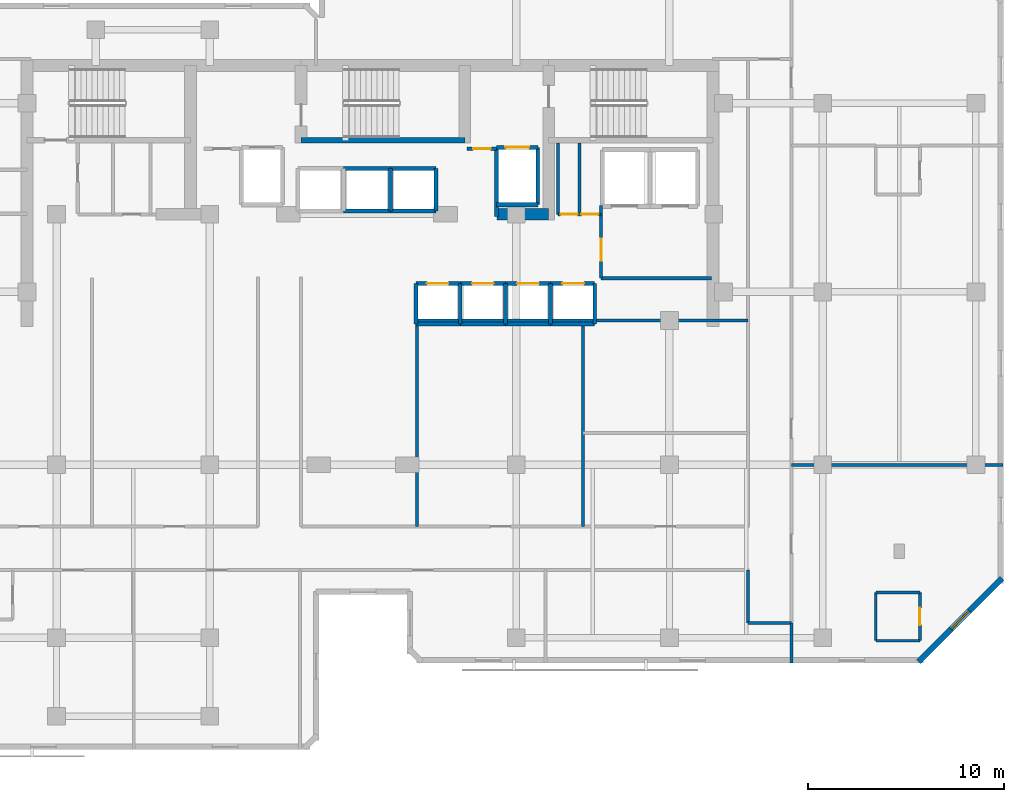
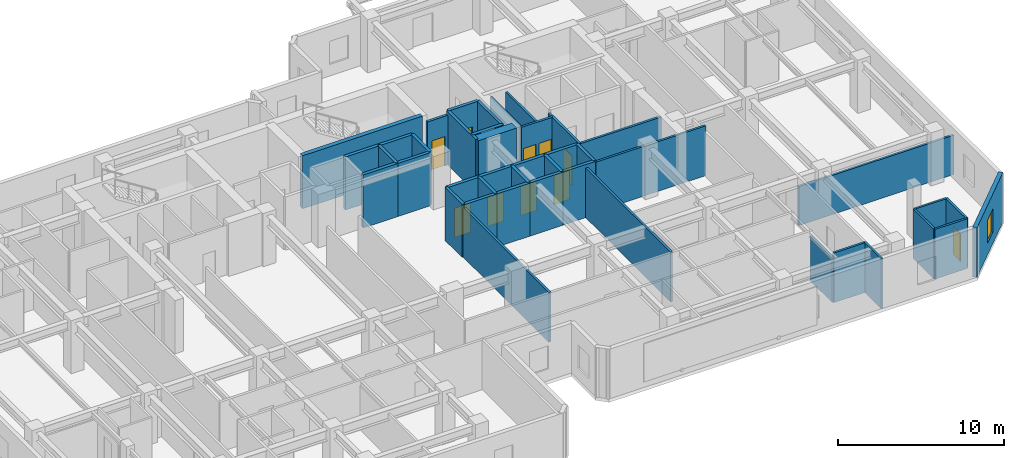
# One storey, part 6 of 10: 43 walls, 10 doors, 1 window, 11 openings.
"""IFC4 building model written with IfcOpenShell, lengths in metres."""

from ifc_helpers import new_model, si_unit, direction, frame, frame_2d, origin, place, context, subcontext, project, spatial, rectangle, extrude, material, layer, layer_set, type_object, element, fill, save


model = new_model("IFC4")

# Units and contexts
model_context = context("Model", 3, precision=1e-05, world=origin(), true_north=direction((0.0, 1.0)))
body_context = subcontext(model_context, "Body", "Model", "MODEL_VIEW")
ifc_project = project(units=[si_unit("LENGTHUNIT", "METRE"), si_unit("AREAUNIT", "SQUARE_METRE"), si_unit("VOLUMEUNIT", "CUBIC_METRE"), si_unit("PLANEANGLEUNIT", "RADIAN"), si_unit("MASSUNIT", "GRAM", prefix="KILO")], contexts=[model_context])

# Site, building, storey
site_placement = place(None, origin())
site = spatial("IfcSite", under=ifc_project, at=site_placement, CompositionType="ELEMENT")
building_placement = place(site_placement, origin())
building = spatial("IfcBuilding", under=site, at=building_placement, Name="Kestravale Grand Hotel", CompositionType="ELEMENT")
storey_placement = place(building_placement, frame((0.0, 0.0, 220.199951171875)))
storey = spatial("IfcBuildingStorey", under=building, at=storey_placement, Name="L55", CompositionType="ELEMENT", Elevation=220.199951171875)

# Wall
ifc_material_1 = material(Name="Concrete f'c 50 MPa", Category="concrete")
ifc_layer_1 = layer(ifc_material_1, 0.60009765625)
ifc_layer_set_1 = layer_set([ifc_layer_1], Name="EW-CORE-600")
wall_type_1 = type_object("IfcWallType", Name="EW-CORE-600", PredefinedType="SHEAR", material=ifc_layer_set_1)
wall_1_placement = place(storey_placement, frame((45.81005859375, 32.75, 0.0), z_axis=(0.0, 0.0, 1.0), x_axis=(1.0, 0.0, 0.0)))
element("IfcWall", 1, at=wall_1_placement, inside=storey, type_object=wall_type_1, Name="L55 core shear wall S2", PredefinedType="SHEAR", context=body_context, shape_type="SweptSolid", body=[
    extrude(rectangle(XDim=2.639892578125, YDim=0.60009765625, at=frame_2d((1.31982421875, 0.0))), origin(), (0.0, 0.0, 1.0), 3.900146484375),
])

# Wall, opening, window
ifc_material_2 = material(Name="Precast concrete f'c 45 MPa", Category="concrete")
ifc_layer_2 = layer(ifc_material_2, 0.280029296875)
ifc_layer_set_2 = layer_set([ifc_layer_2], Name="EW-PREC-280")
wall_type_2 = type_object("IfcWallType", Name="EW-PREC-280", PredefinedType="SOLIDWALL", material=ifc_layer_set_2)
wall_2_placement = place(storey_placement, frame((67.272705078125, 9.970703125, 0.0), z_axis=(0.0, 0.0, 1.0), x_axis=(0.707106781187, 0.707106781187, 0.0)))
wall_2 = element("IfcWall", 2, at=wall_2_placement, inside=storey, type_object=wall_type_2, Name="L55 fluted precast facade wall 8", PredefinedType="SOLIDWALL", context=body_context, shape_type="SweptSolid", body=[
    extrude(rectangle(XDim=6.019775390625, YDim=0.280029296875, at=frame_2d((3.009765625, 0.0))), origin(), (0.0, 0.0, 1.0), 3.650146484375),
])
opening_1_placement = place(wall_2_placement, frame((2.35986328125, 0.0, 0.85009765625)))
opening_1 = element("IfcOpeningElement", 3, at=opening_1_placement, cuts=wall_2, Name="Opening W-GUEST-1300", PredefinedType="OPENING", context=body_context, shape_type="SweptSolid", body=[
    extrude(rectangle(XDim=1.300048828125, YDim=1.699951171875, at=frame_2d((0.64990234375, 0.85009765625))), frame((0.0, 0.14990234375, 0.0), z_axis=(0.0, -1.0, 0.0), x_axis=(1.0, 0.0, 0.0)), (0.0, 0.0, 1.0), 0.300048828125),
])
ifc_material_3 = material(Name="Insulated low-E double glazing in aluminium frame", Category="aluminium")
window_type = type_object("IfcWindowType", Name="W-GUEST-1300", PartitioningType="SINGLE_PANEL", PredefinedType="WINDOW", material=ifc_material_3)
window_placement = place(opening_1_placement, origin())
window = element("IfcWindow", 4, at=window_placement, inside=storey, type_object=window_type, Name="L55 exterior window 8.1", OverallHeight=1.699951171875, OverallWidth=1.300048828125, PartitioningType="SINGLE_PANEL", PredefinedType="WINDOW", context=body_context, shape_type="SweptSolid", body=[
    extrude(rectangle(XDim=1.300048828125, YDim=1.699951171875, at=frame_2d((0.64990234375, 0.85009765625))), frame((0.0, 0.030029296875, 0.0), z_axis=(0.0, -1.0, 0.0), x_axis=(1.0, 0.0, 0.0)), (0.0, 0.0, 1.0), 0.06005859375),
])
fill(opening_1, window)

# Wall
ifc_material_4 = material(Name="Concrete f'c 45 MPa", Category="concrete")
ifc_layer_3 = layer(ifc_material_4, 0.300048828125)
ifc_layer_set_3 = layer_set([ifc_layer_3], Name="EW-STAIR-300")
wall_type_3 = type_object("IfcWallType", Name="EW-STAIR-300", PredefinedType="SHEAR", material=ifc_layer_set_3)
wall_3_placement = place(storey_placement, frame((35.85009765625, 36.52001953125, 0.0), z_axis=(0.0, 0.0, 1.0), x_axis=(1.0, 0.0, 0.0)))
element("IfcWall", 5, at=wall_3_placement, inside=storey, type_object=wall_type_3, Name="L55 stair enclosure shear wall SST2", PredefinedType="SHEAR", context=body_context, shape_type="SweptSolid", body=[
    extrude(rectangle(XDim=8.329833984375, YDim=0.300048828125, at=frame_2d((4.1650390625, 0.0))), origin(), (0.0, 0.0, 1.0), 3.900146484375),
])

# Wall, opening, door
ifc_material_5 = material(Name="Acoustic fire-rated gypsum board partition", Category="other")
ifc_layer_4 = layer(ifc_material_5, 0.159912109375)
ifc_layer_set_4 = layer_set([ifc_layer_4], Name="IW-CORR-160")
wall_type_4 = type_object("IfcWallType", Name="IW-CORR-160", PredefinedType="PARTITIONING", material=ifc_layer_set_4)
wall_4_placement = place(storey_placement, frame((51.1201171875, 29.5, 0.0), z_axis=(0.0, 0.0, 1.0), x_axis=(0.0, 1.0, 0.0)))
wall_4 = element("IfcWall", 6, at=wall_4_placement, inside=storey, type_object=wall_type_4, Name="W-L55-SVCLOB-W", PredefinedType="PARTITIONING", context=body_context, shape_type="SweptSolid", body=[
    extrude(rectangle(XDim=3.699951171875, YDim=0.159912109375, at=frame_2d((1.85009765625, 0.0))), origin(), (0.0, 0.0, 1.0), 3.650146484375),
])
opening_2_placement = place(wall_4_placement, frame((0.89990234375, 0.0, 0.0)))
opening_2 = element("IfcOpeningElement", 7, at=opening_2_placement, cuts=wall_4, Name="Opening D-CORR-1100", PredefinedType="OPENING", context=body_context, shape_type="SweptSolid", body=[
    extrude(rectangle(XDim=1.10009765625, YDim=2.14990234375, at=frame_2d((0.550048828125, 1.074951171875))), frame((0.0, 0.08984375, 0.0), z_axis=(0.0, -1.0, 0.0), x_axis=(1.0, 0.0, 0.0)), (0.0, 0.0, 1.0), 0.179931640625),
])
ifc_material_6 = material(Name="Single-leaf service vestibule fire door", Category="steel")
door_type_1 = type_object("IfcDoorType", Name="D-CORR-1100", OperationType="NOTDEFINED", PredefinedType="DOOR", material=ifc_material_6)
door_1_placement = place(opening_2_placement, origin())
door_1 = element("IfcDoor", 8, at=door_1_placement, inside=storey, type_object=door_type_1, Name="L55 service lift lobby door", OperationType="SINGLE_SWING_LEFT", OverallHeight=2.14990234375, OverallWidth=1.10009765625, PredefinedType="DOOR", context=body_context, shape_type="SweptSolid", body=[
    extrude(rectangle(XDim=1.10009765625, YDim=2.14990234375, at=frame_2d((0.550048828125, 1.074951171875))), frame((0.0, 0.02490234375, 0.0), z_axis=(0.0, -1.0, 0.0), x_axis=(1.0, 0.0, 0.0)), (0.0, 0.0, 1.0), 0.050048828125),
])
fill(opening_2, door_1)

# Wall
wall_5_placement = place(storey_placement, frame((51.1201171875, 29.5, 0.0), z_axis=(0.0, 0.0, 1.0), x_axis=(1.0, 0.0, 0.0)))
element("IfcWall", 9, at=wall_5_placement, inside=storey, type_object=wall_type_4, Name="L55 service lift lobby wall", PredefinedType="PARTITIONING", context=body_context, shape_type="SweptSolid", body=[
    extrude(rectangle(XDim=5.6298828125, YDim=0.159912109375, at=frame_2d((2.81494140625, 0.0))), origin(), (0.0, 0.0, 1.0), 3.650146484375),
])

# Wall, openings, doors
wall_6_placement = place(storey_placement, frame((48.919921875, 32.75, 0.0), z_axis=(0.0, 0.0, 1.0), x_axis=(1.0, 0.0, 0.0)))
wall_6 = element("IfcWall", 10, at=wall_6_placement, inside=storey, type_object=wall_type_4, Name="W-L55-CES", PredefinedType="PARTITIONING", context=body_context, shape_type="SweptSolid", body=[
    extrude(rectangle(XDim=2.2001953125, YDim=0.159912109375, at=frame_2d((1.10009765625, 0.0))), origin(), (0.0, 0.0, 1.0), 3.650146484375),
])
opening_3_placement = place(wall_6_placement, frame((0.139892578125, 0.0, 0.0)))
opening_3 = element("IfcOpeningElement", 11, at=opening_3_placement, cuts=wall_6, Name="Opening D-SH-860", PredefinedType="OPENING", context=body_context, shape_type="SweptSolid", body=[
    extrude(rectangle(XDim=0.860107421875, YDim=2.050048828125, at=frame_2d((0.43017578125, 1.02490234375))), frame((0.0, 0.08984375, 0.0), z_axis=(0.0, -1.0, 0.0), x_axis=(1.0, 0.0, 0.0)), (0.0, 0.0, 1.0), 0.179931640625),
])
opening_4_placement = place(wall_6_placement, frame((1.199951171875, 0.0, 0.0)))
opening_4 = element("IfcOpeningElement", 12, at=opening_4_placement, cuts=wall_6, Name="Opening D-SH-860", PredefinedType="OPENING", context=body_context, shape_type="SweptSolid", body=[
    extrude(rectangle(XDim=0.860107421875, YDim=2.050048828125, at=frame_2d((0.43017578125, 1.02490234375))), frame((0.0, 0.08984375, 0.0), z_axis=(0.0, -1.0, 0.0), x_axis=(1.0, 0.0, 0.0)), (0.0, 0.0, 1.0), 0.179931640625),
])
ifc_material_7 = material(Name="Galvanised 90-minute riser fire door", Category="steel")
door_type_2 = type_object("IfcDoorType", Name="D-SH-860", OperationType="NOTDEFINED", PredefinedType="DOOR", material=ifc_material_7)
door_2_placement = place(opening_3_placement, origin())
door_2 = element("IfcDoor", 13, at=door_2_placement, inside=storey, type_object=door_type_2, Name="L55 CSTO1 door", OperationType="SINGLE_SWING_LEFT", OverallHeight=2.050048828125, OverallWidth=0.860107421875, PredefinedType="DOOR", context=body_context, shape_type="SweptSolid", body=[
    extrude(rectangle(XDim=0.860107421875, YDim=2.050048828125, at=frame_2d((0.43017578125, 1.02490234375))), frame((0.0, 0.02490234375, 0.0), z_axis=(0.0, -1.0, 0.0), x_axis=(1.0, 0.0, 0.0)), (0.0, 0.0, 1.0), 0.050048828125),
])
fill(opening_3, door_2)
door_3_placement = place(opening_4_placement, origin())
door_3 = element("IfcDoor", 14, at=door_3_placement, inside=storey, type_object=door_type_2, Name="L55 CSTO2 door", OperationType="SINGLE_SWING_RIGHT", OverallHeight=2.050048828125, OverallWidth=0.860107421875, PredefinedType="DOOR", context=body_context, shape_type="SweptSolid", body=[
    extrude(rectangle(XDim=0.860107421875, YDim=2.050048828125, at=frame_2d((0.43017578125, 1.02490234375))), frame((0.0, 0.02490234375, 0.0), z_axis=(0.0, -1.0, 0.0), x_axis=(1.0, 0.0, 0.0)), (0.0, 0.0, 1.0), 0.050048828125),
])
fill(opening_4, door_3)

# Wall
wall_7_placement = place(storey_placement, frame((58.590087890625, 11.949951171875, 0.0), z_axis=(0.0, 0.0, 1.0), x_axis=(0.0, 1.0, 0.0)))
element("IfcWall", 15, at=wall_7_placement, inside=storey, type_object=wall_type_4, Name="W-L55-SE-W", PredefinedType="PARTITIONING", context=body_context, shape_type="SweptSolid", body=[
    extrude(rectangle(XDim=2.68994140625, YDim=0.159912109375, at=frame_2d((1.344970703125, 0.0))), origin(), (0.0, 0.0, 1.0), 3.24609375),
])

# Wall, opening, door
ifc_material_8 = material(Name="Fire-rated gypsum board on steel studs with mineral wool", Category="steel")
ifc_layer_5 = layer(ifc_material_8, 0.179931640625)
ifc_layer_set_5 = layer_set([ifc_layer_5], Name="IW-FSAE-180")
wall_type_5 = type_object("IfcWallType", Name="IW-FSAE-180", PredefinedType="PARTITIONING", material=ifc_layer_set_5)
wall_8_placement = place(storey_placement, frame((44.300048828125, 36.080078125, 0.0), z_axis=(0.0, 0.0, 1.0), x_axis=(1.0, 0.0, 0.0)))
wall_8 = element("IfcWall", 16, at=wall_8_placement, inside=storey, type_object=wall_type_5, Name="L55 FSAE Lobby 2 smoke barrier", PredefinedType="PARTITIONING", context=body_context, shape_type="SweptSolid", body=[
    extrude(rectangle(XDim=1.5, YDim=0.179931640625, at=frame_2d((0.75, 0.0))), origin(), (0.0, 0.0, 1.0), 3.650146484375),
])
opening_5_placement = place(wall_8_placement, frame((0.300048828125, 0.0, 0.0)))
opening_5 = element("IfcOpeningElement", 17, at=opening_5_placement, cuts=wall_8, Name="Opening D-FSAE-1000", PredefinedType="OPENING", context=body_context, shape_type="SweptSolid", body=[
    extrude(rectangle(XDim=0.89990234375, YDim=2.14990234375, at=frame_2d((0.449951171875, 1.074951171875))), frame((0.0, 0.099853515625, 0.0), z_axis=(0.0, -1.0, 0.0), x_axis=(1.0, 0.0, 0.0)), (0.0, 0.0, 1.0), 0.199951171875),
])
ifc_material_9 = material(Name="Smoke-gasketed FSAE lobby fire door", Category="steel")
door_type_3 = type_object("IfcDoorType", Name="D-FSAE-1000", OperationType="NOTDEFINED", PredefinedType="DOOR", material=ifc_material_9)
door_4_placement = place(opening_5_placement, origin())
door_4 = element("IfcDoor", 18, at=door_4_placement, inside=storey, type_object=door_type_3, Name="L55 FSAE Lobby 2 fire door", OperationType="SINGLE_SWING_LEFT", OverallHeight=2.14990234375, OverallWidth=0.89990234375, PredefinedType="DOOR", context=body_context, shape_type="SweptSolid", body=[
    extrude(rectangle(XDim=0.89990234375, YDim=2.14990234375, at=frame_2d((0.449951171875, 1.074951171875))), frame((0.0, 0.02490234375, 0.0), z_axis=(0.0, -1.0, 0.0), x_axis=(1.0, 0.0, 0.0)), (0.0, 0.0, 1.0), 0.050048828125),
])
fill(opening_5, door_4)

# Wall
ifc_material_10 = material(Name="Moisture-resistant tile-backer plumbing chase wall", Category="other")
ifc_layer_6 = layer(ifc_material_10, 0.139892578125)
ifc_layer_set_6 = layer_set([ifc_layer_6], Name="IW-PLB-140")
wall_type_6 = type_object("IfcWallType", Name="IW-PLB-140", PredefinedType="PLUMBINGWALL", material=ifc_layer_set_6)
wall_9_placement = place(storey_placement, frame((65.10009765625, 11.050048828125, 0.0), z_axis=(0.0, 0.0, 1.0), x_axis=(0.0, 1.0, 0.0)))
element("IfcWall", 19, at=wall_9_placement, inside=storey, type_object=wall_type_6, Name="W-L55-U05-BW", PredefinedType="PLUMBINGWALL", context=body_context, shape_type="SweptSolid", body=[
    extrude(rectangle(XDim=2.449951171875, YDim=0.139892578125, at=frame_2d((1.22509765625, 0.0))), origin(), (0.0, 0.0, 1.0), 3.650146484375),
])

# Wall, opening, door
wall_10_placement = place(storey_placement, frame((67.35009765625, 11.050048828125, 0.0), z_axis=(0.0, 0.0, 1.0), x_axis=(0.0, 1.0, 0.0)))
wall_10 = element("IfcWall", 20, at=wall_10_placement, inside=storey, type_object=wall_type_6, Name="W-L55-U05-BE", PredefinedType="PLUMBINGWALL", context=body_context, shape_type="SweptSolid", body=[
    extrude(rectangle(XDim=2.449951171875, YDim=0.139892578125, at=frame_2d((1.22509765625, 0.0))), origin(), (0.0, 0.0, 1.0), 3.650146484375),
])
opening_6_placement = place(wall_10_placement, frame((0.784912109375, 0.0, 0.0)))
opening_6 = element("IfcOpeningElement", 21, at=opening_6_placement, cuts=wall_10, Name="Opening D-BATH-880", PredefinedType="OPENING", context=body_context, shape_type="SweptSolid", body=[
    extrude(rectangle(XDim=0.8798828125, YDim=2.050048828125, at=frame_2d((0.43994140625, 1.02490234375))), frame((0.0, 0.079833984375, 0.0), z_axis=(0.0, -1.0, 0.0), x_axis=(1.0, 0.0, 0.0)), (0.0, 0.0, 1.0), 0.159912109375),
])
ifc_material_11 = material(Name="Moisture-sealed walnut en-suite bathroom door", Category="wood")
door_type_4 = type_object("IfcDoorType", Name="D-BATH-880", OperationType="NOTDEFINED", PredefinedType="DOOR", material=ifc_material_11)
door_5_placement = place(opening_6_placement, origin())
door_5 = element("IfcDoor", 22, at=door_5_placement, inside=storey, type_object=door_type_4, Name="D-L55-U05-BATH", OperationType="SINGLE_SWING_RIGHT", OverallHeight=2.050048828125, OverallWidth=0.8798828125, PredefinedType="DOOR", context=body_context, shape_type="SweptSolid", body=[
    extrude(rectangle(XDim=0.8798828125, YDim=2.050048828125, at=frame_2d((0.43994140625, 1.02490234375))), frame((0.0, 0.02490234375, 0.0), z_axis=(0.0, -1.0, 0.0), x_axis=(1.0, 0.0, 0.0)), (0.0, 0.0, 1.0), 0.050048828125),
])
fill(opening_6, door_5)

# Walls
for number, where, z_axis, x_axis, name in (
    (23, (65.10009765625, 11.050048828125, 0.0), (0.0, 0.0, 1.0), (1.0, 0.0, 0.0), "W-L55-U05-BS"),
    (24, (65.10009765625, 13.5, 0.0), (0.0, 0.0, 1.0), (1.0, 0.0, 0.0), "W-L55-U05-BN"),
):
    element("IfcWall", number, at=place(storey_placement, frame(where, z_axis=z_axis, x_axis=x_axis)), inside=storey, type_object=wall_type_6, Name=name, PredefinedType="PLUMBINGWALL", context=body_context, shape_type="SweptSolid", body=[
        extrude(rectangle(XDim=2.25, YDim=0.139892578125, at=frame_2d((1.125, 0.0))), origin(), (0.0, 0.0, 1.0), 3.650146484375),
    ])
ifc_material_12 = material(Name="Concrete f'c 45 MPa", Category="concrete")
ifc_layer_7 = layer(ifc_material_12, 0.199951171875)
ifc_layer_set_7 = layer_set([ifc_layer_7], Name="IW-SHAFT-200")
wall_type_7 = type_object("IfcWallType", Name="IW-SHAFT-200", PredefinedType="SHEAR", material=ifc_layer_set_7)
for number, where, z_axis, x_axis, name in (
    (25, (41.705078125, 27.169921875, 0.0), (0.0, 0.0, 1.0), (0.0, 1.0, 0.0), "L55 PL-M1 west shaft wall"),
    (26, (43.949951171875, 27.169921875, 0.0), (0.0, 0.0, 1.0), (0.0, 1.0, 0.0), "L55 PL-M2 west shaft wall"),
    (27, (46.25, 27.169921875, 0.0), (0.0, 0.0, 1.0), (0.0, 1.0, 0.0), "L55 PL-M3 west shaft wall"),
    (28, (48.550048828125, 27.169921875, 0.0), (0.0, 0.0, 1.0), (0.0, 1.0, 0.0), "L55 PL-M4 west shaft wall"),
    (29, (50.794921875, 27.169921875, 0.0), (0.0, 0.0, 1.0), (0.0, 1.0, 0.0), "L55 PL-M4 east shaft wall"),
):
    element("IfcWall", number, at=place(storey_placement, frame(where, z_axis=z_axis, x_axis=x_axis)), inside=storey, type_object=wall_type_7, Name=name, PredefinedType="SHEAR", context=body_context, shape_type="SweptSolid", body=[
        extrude(rectangle(XDim=2.06005859375, YDim=0.199951171875, at=frame_2d((1.030029296875, 0.0))), origin(), (0.0, 0.0, 1.0), 3.900146484375),
    ])
for number, where, z_axis, x_axis, name in (
    (30, (40.39990234375, 32.919921875, 0.0), (0.0, 0.0, 1.0), (0.0, 1.0, 0.0), "L55 PL-X3 west shaft wall"),
    (31, (42.719970703125, 32.919921875, 0.0), (0.0, 0.0, 1.0), (0.0, 1.0, 0.0), "L55 PL-X3 east shaft wall"),
):
    element("IfcWall", number, at=place(storey_placement, frame(where, z_axis=z_axis, x_axis=x_axis)), inside=storey, type_object=wall_type_7, Name=name, PredefinedType="SHEAR", context=body_context, shape_type="SweptSolid", body=[
        extrude(rectangle(XDim=2.16015625, YDim=0.199951171875, at=frame_2d((1.080078125, 0.0))), origin(), (0.0, 0.0, 1.0), 3.900146484375),
    ])
wall_11_placement = place(storey_placement, frame((45.804931640625, 32.64990234375, 0.0), z_axis=(0.0, 0.0, 1.0), x_axis=(0.0, 1.0, 0.0)))
element("IfcWall", 32, at=wall_11_placement, inside=storey, type_object=wall_type_7, Name="L55 FL-2 west shaft wall", PredefinedType="SHEAR", context=body_context, shape_type="SweptSolid", body=[
    extrude(rectangle(XDim=3.505126953125, YDim=0.199951171875, at=frame_2d((1.75244140625, 0.0))), origin(), (0.0, 0.0, 1.0), 3.900146484375),
])
wall_12_placement = place(storey_placement, frame((47.89501953125, 33.2451171875, 0.0), z_axis=(0.0, 0.0, 1.0), x_axis=(0.0, 1.0, 0.0)))
element("IfcWall", 33, at=wall_12_placement, inside=storey, type_object=wall_type_7, Name="L55 FL-2 east shaft wall", PredefinedType="SHEAR", context=body_context, shape_type="SweptSolid", body=[
    extrude(rectangle(XDim=2.909912109375, YDim=0.199951171875, at=frame_2d((1.455078125, 0.0))), origin(), (0.0, 0.0, 1.0), 3.900146484375),
])

# Wall, opening, door
ifc_material_13 = material(Name="Concrete f'c 45 MPa", Category="concrete")
ifc_layer_8 = layer(ifc_material_13, 0.219970703125)
ifc_layer_set_8 = layer_set([ifc_layer_8], Name="IW-SHAFT-220")
wall_type_8 = type_object("IfcWallType", Name="IW-SHAFT-220", PredefinedType="SHEAR", material=ifc_layer_set_8)
wall_13_placement = place(storey_placement, frame((41.705078125, 29.22998046875, 0.0), z_axis=(0.0, 0.0, 1.0), x_axis=(1.0, 0.0, 0.0)))
wall_13 = element("IfcWall", 34, at=wall_13_placement, inside=storey, type_object=wall_type_8, Name="L55 PL-M1 north shaft wall", PredefinedType="SHEAR", context=body_context, shape_type="SweptSolid", body=[
    extrude(rectangle(XDim=2.244873046875, YDim=0.219970703125, at=frame_2d((1.12255859375, 0.0))), origin(), (0.0, 0.0, 1.0), 3.900146484375),
])
opening_7_placement = place(wall_13_placement, frame((0.544921875, 0.0, 0.0)))
opening_7 = element("IfcOpeningElement", 35, at=opening_7_placement, cuts=wall_13, Name="Opening LD-PAX-1100", PredefinedType="OPENING", context=body_context, shape_type="SweptSolid", body=[
    extrude(rectangle(XDim=1.10009765625, YDim=2.14990234375, at=frame_2d((0.550048828125, 1.074951171875))), frame((0.0, 0.119873046875, 0.0), z_axis=(0.0, -1.0, 0.0), x_axis=(1.0, 0.0, 0.0)), (0.0, 0.0, 1.0), 0.239990234375),
])
ifc_material_14 = material(Name="Champagne-bronze center-opening sliding elevator landing door", Category="steel")
door_type_5 = type_object("IfcDoorType", Name="LD-PAX-1100", OperationType="NOTDEFINED", PredefinedType="DOOR", material=ifc_material_14)
door_6_placement = place(opening_7_placement, origin())
door_6 = element("IfcDoor", 36, at=door_6_placement, inside=storey, type_object=door_type_5, Name="L55 PL-M1 elevator landing sliding door", OperationType="DOUBLE_DOOR_SLIDING", OverallHeight=2.14990234375, OverallWidth=1.10009765625, PredefinedType="DOOR", context=body_context, shape_type="SweptSolid", body=[
    extrude(rectangle(XDim=1.10009765625, YDim=2.14990234375, at=frame_2d((0.550048828125, 1.074951171875))), frame((0.0, 0.02490234375, 0.0), z_axis=(0.0, -1.0, 0.0), x_axis=(1.0, 0.0, 0.0)), (0.0, 0.0, 1.0), 0.050048828125),
])
fill(opening_7, door_6)

# Wall
wall_14_placement = place(storey_placement, frame((41.705078125, 27.169921875, 0.0), z_axis=(0.0, 0.0, 1.0), x_axis=(1.0, 0.0, 0.0)))
element("IfcWall", 37, at=wall_14_placement, inside=storey, type_object=wall_type_8, Name="L55 PL-M1 south shaft wall", PredefinedType="SHEAR", context=body_context, shape_type="SweptSolid", body=[
    extrude(rectangle(XDim=2.244873046875, YDim=0.219970703125, at=frame_2d((1.12255859375, 0.0))), origin(), (0.0, 0.0, 1.0), 3.900146484375),
])

# Wall, opening, door
wall_15_placement = place(storey_placement, frame((43.949951171875, 29.22998046875, 0.0), z_axis=(0.0, 0.0, 1.0), x_axis=(1.0, 0.0, 0.0)))
wall_15 = element("IfcWall", 38, at=wall_15_placement, inside=storey, type_object=wall_type_8, Name="L55 PL-M2 north shaft wall", PredefinedType="SHEAR", context=body_context, shape_type="SweptSolid", body=[
    extrude(rectangle(XDim=2.300048828125, YDim=0.219970703125, at=frame_2d((1.14990234375, 0.0))), origin(), (0.0, 0.0, 1.0), 3.900146484375),
])
opening_8_placement = place(wall_15_placement, frame((0.60009765625, 0.0, 0.0)))
opening_8 = element("IfcOpeningElement", 39, at=opening_8_placement, cuts=wall_15, Name="Opening LD-PAX-1100", PredefinedType="OPENING", context=body_context, shape_type="SweptSolid", body=[
    extrude(rectangle(XDim=1.10009765625, YDim=2.14990234375, at=frame_2d((0.550048828125, 1.074951171875))), frame((0.0, 0.119873046875, 0.0), z_axis=(0.0, -1.0, 0.0), x_axis=(1.0, 0.0, 0.0)), (0.0, 0.0, 1.0), 0.239990234375),
])
door_7_placement = place(opening_8_placement, origin())
door_7 = element("IfcDoor", 40, at=door_7_placement, inside=storey, type_object=door_type_5, Name="L55 PL-M2 elevator landing sliding door", OperationType="DOUBLE_DOOR_SLIDING", OverallHeight=2.14990234375, OverallWidth=1.10009765625, PredefinedType="DOOR", context=body_context, shape_type="SweptSolid", body=[
    extrude(rectangle(XDim=1.10009765625, YDim=2.14990234375, at=frame_2d((0.550048828125, 1.074951171875))), frame((0.0, 0.02490234375, 0.0), z_axis=(0.0, -1.0, 0.0), x_axis=(1.0, 0.0, 0.0)), (0.0, 0.0, 1.0), 0.050048828125),
])
fill(opening_8, door_7)

# Wall
wall_16_placement = place(storey_placement, frame((43.949951171875, 27.169921875, 0.0), z_axis=(0.0, 0.0, 1.0), x_axis=(1.0, 0.0, 0.0)))
element("IfcWall", 41, at=wall_16_placement, inside=storey, type_object=wall_type_8, Name="L55 PL-M2 south shaft wall", PredefinedType="SHEAR", context=body_context, shape_type="SweptSolid", body=[
    extrude(rectangle(XDim=2.300048828125, YDim=0.219970703125, at=frame_2d((1.14990234375, 0.0))), origin(), (0.0, 0.0, 1.0), 3.900146484375),
])

# Wall, opening, door
wall_17_placement = place(storey_placement, frame((46.25, 29.22998046875, 0.0), z_axis=(0.0, 0.0, 1.0), x_axis=(1.0, 0.0, 0.0)))
wall_17 = element("IfcWall", 42, at=wall_17_placement, inside=storey, type_object=wall_type_8, Name="L55 PL-M3 north shaft wall", PredefinedType="SHEAR", context=body_context, shape_type="SweptSolid", body=[
    extrude(rectangle(XDim=2.300048828125, YDim=0.219970703125, at=frame_2d((1.14990234375, 0.0))), origin(), (0.0, 0.0, 1.0), 3.900146484375),
])
opening_9_placement = place(wall_17_placement, frame((0.60009765625, 0.0, 0.0)))
opening_9 = element("IfcOpeningElement", 43, at=opening_9_placement, cuts=wall_17, Name="Opening LD-PAX-1100", PredefinedType="OPENING", context=body_context, shape_type="SweptSolid", body=[
    extrude(rectangle(XDim=1.10009765625, YDim=2.14990234375, at=frame_2d((0.550048828125, 1.074951171875))), frame((0.0, 0.119873046875, 0.0), z_axis=(0.0, -1.0, 0.0), x_axis=(1.0, 0.0, 0.0)), (0.0, 0.0, 1.0), 0.239990234375),
])
door_8_placement = place(opening_9_placement, origin())
door_8 = element("IfcDoor", 44, at=door_8_placement, inside=storey, type_object=door_type_5, Name="L55 PL-M3 elevator landing sliding door", OperationType="DOUBLE_DOOR_SLIDING", OverallHeight=2.14990234375, OverallWidth=1.10009765625, PredefinedType="DOOR", context=body_context, shape_type="SweptSolid", body=[
    extrude(rectangle(XDim=1.10009765625, YDim=2.14990234375, at=frame_2d((0.550048828125, 1.074951171875))), frame((0.0, 0.02490234375, 0.0), z_axis=(0.0, -1.0, 0.0), x_axis=(1.0, 0.0, 0.0)), (0.0, 0.0, 1.0), 0.050048828125),
])
fill(opening_9, door_8)

# Wall
wall_18_placement = place(storey_placement, frame((46.25, 27.169921875, 0.0), z_axis=(0.0, 0.0, 1.0), x_axis=(1.0, 0.0, 0.0)))
element("IfcWall", 45, at=wall_18_placement, inside=storey, type_object=wall_type_8, Name="L55 PL-M3 south shaft wall", PredefinedType="SHEAR", context=body_context, shape_type="SweptSolid", body=[
    extrude(rectangle(XDim=2.300048828125, YDim=0.219970703125, at=frame_2d((1.14990234375, 0.0))), origin(), (0.0, 0.0, 1.0), 3.900146484375),
])

# Wall, opening, door
wall_19_placement = place(storey_placement, frame((48.550048828125, 29.22998046875, 0.0), z_axis=(0.0, 0.0, 1.0), x_axis=(1.0, 0.0, 0.0)))
wall_19 = element("IfcWall", 46, at=wall_19_placement, inside=storey, type_object=wall_type_8, Name="L55 PL-M4 north shaft wall", PredefinedType="SHEAR", context=body_context, shape_type="SweptSolid", body=[
    extrude(rectangle(XDim=2.244873046875, YDim=0.219970703125, at=frame_2d((1.12255859375, 0.0))), origin(), (0.0, 0.0, 1.0), 3.900146484375),
])
opening_10_placement = place(wall_19_placement, frame((0.60009765625, 0.0, 0.0)))
opening_10 = element("IfcOpeningElement", 47, at=opening_10_placement, cuts=wall_19, Name="Opening LD-PAX-1100", PredefinedType="OPENING", context=body_context, shape_type="SweptSolid", body=[
    extrude(rectangle(XDim=1.10009765625, YDim=2.14990234375, at=frame_2d((0.550048828125, 1.074951171875))), frame((0.0, 0.119873046875, 0.0), z_axis=(0.0, -1.0, 0.0), x_axis=(1.0, 0.0, 0.0)), (0.0, 0.0, 1.0), 0.239990234375),
])
door_9_placement = place(opening_10_placement, origin())
door_9 = element("IfcDoor", 48, at=door_9_placement, inside=storey, type_object=door_type_5, Name="L55 PL-M4 elevator landing sliding door", OperationType="DOUBLE_DOOR_SLIDING", OverallHeight=2.14990234375, OverallWidth=1.10009765625, PredefinedType="DOOR", context=body_context, shape_type="SweptSolid", body=[
    extrude(rectangle(XDim=1.10009765625, YDim=2.14990234375, at=frame_2d((0.550048828125, 1.074951171875))), frame((0.0, 0.02490234375, 0.0), z_axis=(0.0, -1.0, 0.0), x_axis=(1.0, 0.0, 0.0)), (0.0, 0.0, 1.0), 0.050048828125),
])
fill(opening_10, door_9)

# Walls
wall_20_placement = place(storey_placement, frame((48.550048828125, 27.169921875, 0.0), z_axis=(0.0, 0.0, 1.0), x_axis=(1.0, 0.0, 0.0)))
element("IfcWall", 49, at=wall_20_placement, inside=storey, type_object=wall_type_8, Name="L55 PL-M4 south shaft wall", PredefinedType="SHEAR", context=body_context, shape_type="SweptSolid", body=[
    extrude(rectangle(XDim=2.244873046875, YDim=0.219970703125, at=frame_2d((1.12255859375, 0.0))), origin(), (0.0, 0.0, 1.0), 3.900146484375),
])
for number, where, z_axis, x_axis, name in (
    (50, (38.0, 35.080078125, 0.0), (0.0, 0.0, 1.0), (1.0, 0.0, 0.0), "L55 PL-X2 north shaft wall"),
    (51, (38.0, 32.919921875, 0.0), (0.0, 0.0, 1.0), (1.0, 0.0, 0.0), "L55 PL-X2 south shaft wall"),
):
    element("IfcWall", number, at=place(storey_placement, frame(where, z_axis=z_axis, x_axis=x_axis)), inside=storey, type_object=wall_type_8, Name=name, PredefinedType="SHEAR", context=body_context, shape_type="SweptSolid", body=[
        extrude(rectangle(XDim=2.39990234375, YDim=0.219970703125, at=frame_2d((1.199951171875, 0.0))), origin(), (0.0, 0.0, 1.0), 3.900146484375),
    ])
for number, where, z_axis, x_axis, name in (
    (52, (40.39990234375, 35.080078125, 0.0), (0.0, 0.0, 1.0), (1.0, 0.0, 0.0), "L55 PL-X3 north shaft wall"),
    (53, (40.39990234375, 32.919921875, 0.0), (0.0, 0.0, 1.0), (1.0, 0.0, 0.0), "L55 PL-X3 south shaft wall"),
):
    element("IfcWall", number, at=place(storey_placement, frame(where, z_axis=z_axis, x_axis=x_axis)), inside=storey, type_object=wall_type_8, Name=name, PredefinedType="SHEAR", context=body_context, shape_type="SweptSolid", body=[
        extrude(rectangle(XDim=2.320068359375, YDim=0.219970703125, at=frame_2d((1.16015625, 0.0))), origin(), (0.0, 0.0, 1.0), 3.900146484375),
    ])

# Wall, opening, door
wall_21_placement = place(storey_placement, frame((45.804931640625, 36.155029296875, 0.0), z_axis=(0.0, 0.0, 1.0), x_axis=(1.0, 0.0, 0.0)))
wall_21 = element("IfcWall", 54, at=wall_21_placement, inside=storey, type_object=wall_type_8, Name="L55 FL-2 north shaft wall", PredefinedType="SHEAR", context=body_context, shape_type="SweptSolid", body=[
    extrude(rectangle(XDim=2.090087890625, YDim=0.219970703125, at=frame_2d((1.044921875, 0.0))), origin(), (0.0, 0.0, 1.0), 3.900146484375),
])
opening_11_placement = place(wall_21_placement, frame((0.445068359375, 0.0, 0.0)))
opening_11 = element("IfcOpeningElement", 55, at=opening_11_placement, cuts=wall_21, Name="Opening LD-FSAE-1200", PredefinedType="OPENING", context=body_context, shape_type="SweptSolid", body=[
    extrude(rectangle(XDim=1.199951171875, YDim=2.14990234375, at=frame_2d((0.60009765625, 1.074951171875))), frame((0.0, 0.119873046875, 0.0), z_axis=(0.0, -1.0, 0.0), x_axis=(1.0, 0.0, 0.0)), (0.0, 0.0, 1.0), 0.239990234375),
])
ifc_material_15 = material(Name="Stainless fire-service sliding elevator landing door", Category="steel")
door_type_6 = type_object("IfcDoorType", Name="LD-FSAE-1200", OperationType="NOTDEFINED", PredefinedType="DOOR", material=ifc_material_15)
door_10_placement = place(opening_11_placement, origin())
door_10 = element("IfcDoor", 56, at=door_10_placement, inside=storey, type_object=door_type_6, Name="L55 FL-2 elevator landing sliding door", OperationType="DOUBLE_DOOR_SLIDING", OverallHeight=2.14990234375, OverallWidth=1.199951171875, PredefinedType="DOOR", context=body_context, shape_type="SweptSolid", body=[
    extrude(rectangle(XDim=1.199951171875, YDim=2.14990234375, at=frame_2d((0.60009765625, 1.074951171875))), frame((0.0, 0.02490234375, 0.0), z_axis=(0.0, -1.0, 0.0), x_axis=(1.0, 0.0, 0.0)), (0.0, 0.0, 1.0), 0.050048828125),
])
fill(opening_11, door_10)

# Walls
wall_22_placement = place(storey_placement, frame((45.804931640625, 33.2451171875, 0.0), z_axis=(0.0, 0.0, 1.0), x_axis=(1.0, 0.0, 0.0)))
element("IfcWall", 57, at=wall_22_placement, inside=storey, type_object=wall_type_8, Name="L55 FL-2 south shaft wall", PredefinedType="SHEAR", context=body_context, shape_type="SweptSolid", body=[
    extrude(rectangle(XDim=2.090087890625, YDim=0.219970703125, at=frame_2d((1.044921875, 0.0))), origin(), (0.0, 0.0, 1.0), 3.900146484375),
])
ifc_material_16 = material(Name="Double-stud STC 52 acoustic demising partition", Category="other")
ifc_layer_9 = layer(ifc_material_16, 0.14990234375)
ifc_layer_set_9 = layer_set([ifc_layer_9], Name="IW-UNIT-150")
wall_type_9 = type_object("IfcWallType", Name="IW-UNIT-150", PredefinedType="PARTITIONING", material=ifc_layer_set_9)
for number, where, z_axis, x_axis, name in (
    (58, (48.919921875, 32.75, 0.0), (0.0, 0.0, 1.0), (0.0, 1.0, 0.0), "W-L55-CEW"),
    (59, (50.010009765625, 32.75, 0.0), (0.0, 0.0, 1.0), (0.0, 1.0, 0.0), "W-L55-CC1-EM"),
):
    element("IfcWall", number, at=place(storey_placement, frame(where, z_axis=z_axis, x_axis=x_axis)), inside=storey, type_object=wall_type_9, Name=name, PredefinedType="PARTITIONING", context=body_context, shape_type="SweptSolid", body=[
        extrude(rectangle(XDim=3.6201171875, YDim=0.14990234375, at=frame_2d((1.81005859375, 0.0))), origin(), (0.0, 0.0, 1.0), 3.650146484375),
    ])
wall_23_placement = place(storey_placement, frame((58.590087890625, 11.949951171875, 0.0), z_axis=(0.0, 0.0, 1.0), x_axis=(1.0, 0.0, 0.0)))
element("IfcWall", 60, at=wall_23_placement, inside=storey, type_object=wall_type_9, Name="W-L55-SE-S", PredefinedType="PARTITIONING", context=body_context, shape_type="SweptSolid", body=[
    extrude(rectangle(XDim=2.219970703125, YDim=0.14990234375, at=frame_2d((1.10986328125, 0.0))), origin(), (0.0, 0.0, 1.0), 3.650146484375),
])
wall_24_placement = place(storey_placement, frame((41.75, 16.860107421875, 0.0), z_axis=(0.0, 0.0, 1.0), x_axis=(0.0, 1.0, 0.0)))
element("IfcWall", 61, at=wall_24_placement, inside=storey, type_object=wall_type_9, Name="W-L55-RCLE-W", PredefinedType="PARTITIONING", context=body_context, shape_type="SweptSolid", body=[
    extrude(rectangle(XDim=10.309814453125, YDim=0.14990234375, at=frame_2d((5.15478515625, 0.0))), origin(), (0.0, 0.0, 1.0), 3.650146484375),
])
wall_25_placement = place(storey_placement, frame((50.199951171875, 16.860107421875, 0.0), z_axis=(0.0, 0.0, 1.0), x_axis=(0.0, 1.0, 0.0)))
element("IfcWall", 62, at=wall_25_placement, inside=storey, type_object=wall_type_9, Name="W-L55-RCLE-M", PredefinedType="PARTITIONING", context=body_context, shape_type="SweptSolid", body=[
    extrude(rectangle(XDim=10.289794921875, YDim=0.14990234375, at=frame_2d((5.14501953125, 0.0))), origin(), (0.0, 0.0, 1.0), 3.650146484375),
])
wall_26_placement = place(storey_placement, frame((41.75, 27.35009765625, 0.0), z_axis=(0.0, 0.0, 1.0), x_axis=(1.0, 0.0, 0.0)))
element("IfcWall", 63, at=wall_26_placement, inside=storey, type_object=wall_type_9, Name="W-L55-RCLE-N", PredefinedType="PARTITIONING", context=body_context, shape_type="SweptSolid", body=[
    extrude(rectangle(XDim=16.840087890625, YDim=0.14990234375, at=frame_2d((8.419921875, 0.0))), origin(), (0.0, 0.0, 1.0), 3.650146484375),
])
wall_27_placement = place(storey_placement, frame((60.81005859375, 9.919921875, 0.0), z_axis=(0.0, 0.0, 1.0), x_axis=(0.0, 1.0, 0.0)))
element("IfcWall", 64, at=wall_27_placement, inside=storey, type_object=wall_type_9, Name="W-L55-SE-EXT", PredefinedType="PARTITIONING", context=body_context, shape_type="SweptSolid", body=[
    extrude(rectangle(XDim=2.030029296875, YDim=0.14990234375, at=frame_2d((1.01513671875, 0.0))), origin(), (0.0, 0.0, 1.0), 3.650146484375),
])
wall_28_placement = place(storey_placement, frame((60.81005859375, 20.0, 0.0), z_axis=(0.0, 0.0, 1.0), x_axis=(1.0, 0.0, 0.0)))
element("IfcWall", 65, at=wall_28_placement, inside=storey, type_object=wall_type_9, Name="W-L55-EW-1", PredefinedType="PARTITIONING", context=body_context, shape_type="SweptSolid", body=[
    extrude(rectangle(XDim=10.77001953125, YDim=0.14990234375, at=frame_2d((5.385009765625, 0.0))), origin(), (0.0, 0.0, 1.0), 2.8779296875),
])

save(model, "model.ifc")
